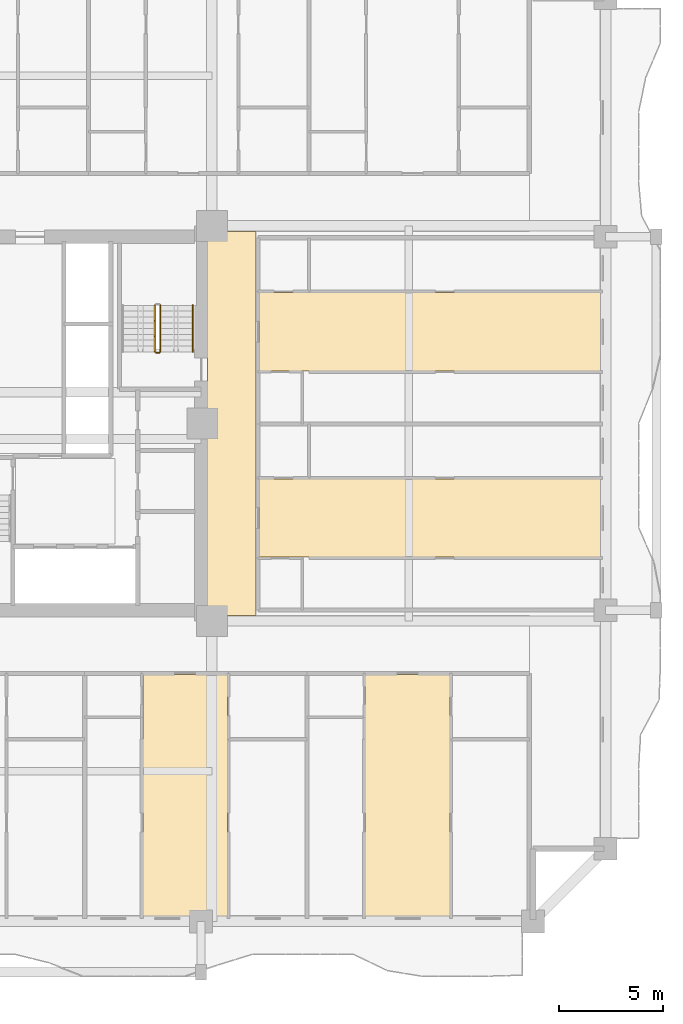
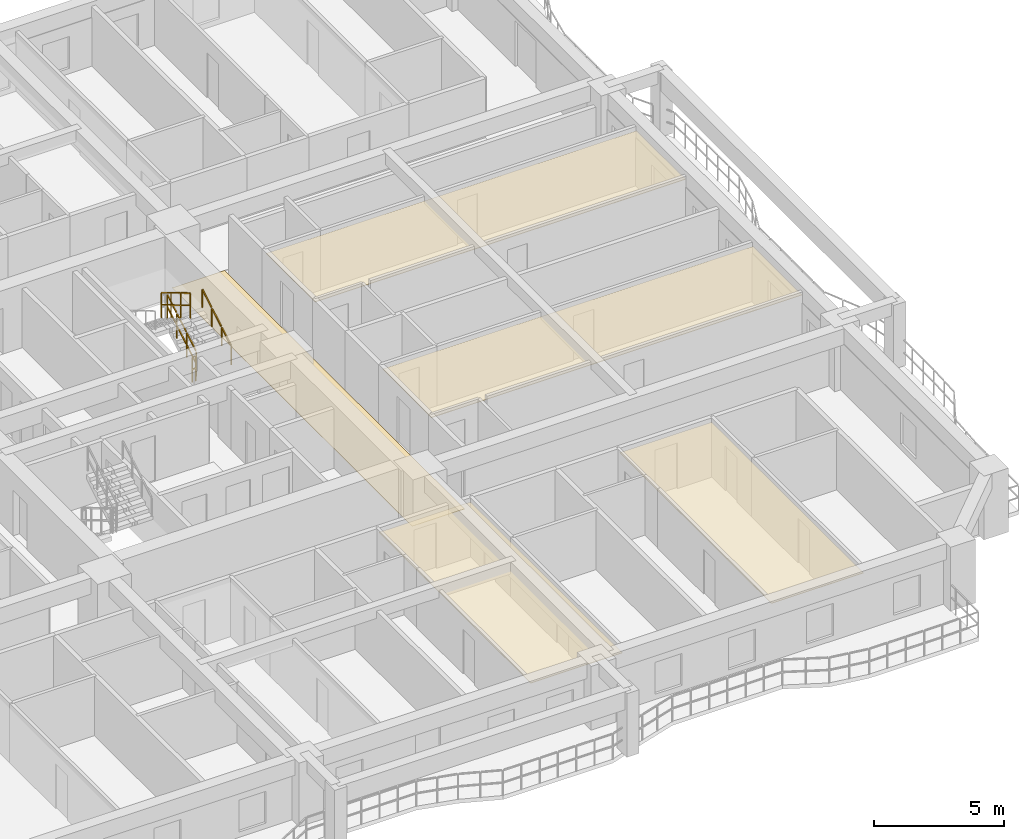
# One storey, part 14 of 16: 5 coverings, 4 railings.
"""IFC4 building model written with IfcOpenShell, lengths in metres."""

from ifc_helpers import new_model, si_unit, direction, frame, origin, origin_2d, place, context, subcontext, project, spatial, polyline, rectangle, outline, extrude, material, layer, layer_set, type_object, element, save


model = new_model("IFC4")

# Units and contexts
model_context = context("Model", 3, precision=1e-05, world=origin(), true_north=direction((0.0, 1.0)))
body_context = subcontext(model_context, "Body", "Model", "MODEL_VIEW")
ifc_project = project(units=[si_unit("LENGTHUNIT", "METRE"), si_unit("AREAUNIT", "SQUARE_METRE"), si_unit("VOLUMEUNIT", "CUBIC_METRE"), si_unit("PLANEANGLEUNIT", "RADIAN"), si_unit("MASSUNIT", "GRAM", prefix="KILO")], contexts=[model_context])

# Site, building, storey
site_placement = place(None, origin())
site = spatial("IfcSite", under=ifc_project, at=site_placement, CompositionType="ELEMENT")
building_placement = place(site_placement, origin())
building = spatial("IfcBuilding", under=site, at=building_placement, Name="Saelheon Loggia Tower", CompositionType="ELEMENT")
storey_placement = place(building_placement, frame((0.0, 0.0, 31.39990234375)))
storey = spatial("IfcBuildingStorey", under=building, at=storey_placement, Name="L09", CompositionType="ELEMENT", Elevation=31.39990234375)

# Coverings
ifc_material_1 = material(Name="Mineral-Fibre Acoustic Ceiling Board", Category="gypsum")
ifc_layer_1 = layer(ifc_material_1, 0.02490234375)
ifc_layer_set_1 = layer_set([ifc_layer_1], Name="Mineral-Fibre Acoustic Ceiling Board")
covering_type_1 = type_object("IfcCoveringType", Name="Cov_Ceiling_Acoustic", PredefinedType="CEILING", material=ifc_layer_set_1)
covering_1_placement = place(storey_placement, frame((0.0, 0.0, 2.53515625)))
element("IfcCovering", 1, at=covering_1_placement, inside=storey, type_object=covering_type_1, Name="L09 Acoustic Suspended Ceiling", PredefinedType="CEILING", context=body_context, shape_type="SweptSolid", body=[
    extrude(outline(polyline([(41.69287109375, 3.199951171875), (45.77001953125, 3.199951171875), (45.77001953125, 14.89990234375), (41.69287109375, 14.89990234375), (41.69287109375, 3.199951171875)])), origin(), (0.0, 0.0, 1.0), 0.02490234375),
])
covering_2_placement = place(storey_placement, frame((0.0, 0.0, 2.53515625)))
element("IfcCovering", 2, at=covering_2_placement, inside=storey, type_object=covering_type_1, Name="L09 Acoustic Suspended Ceiling", PredefinedType="CEILING", context=body_context, shape_type="SweptSolid", body=[
    extrude(outline(polyline([(52.406494140625, 3.199951171875), (56.504150390625, 3.199951171875), (56.504150390625, 14.89990234375), (52.406494140625, 14.89990234375), (52.406494140625, 3.199951171875)])), origin(), (0.0, 0.0, 1.0), 0.02490234375),
])
covering_3_placement = place(storey_placement, frame((0.0, 0.0, 2.53515625)))
element("IfcCovering", 3, at=covering_3_placement, inside=storey, type_object=covering_type_1, Name="L09 Acoustic Suspended Ceiling", PredefinedType="CEILING", context=body_context, shape_type="SweptSolid", body=[
    extrude(outline(polyline([(47.300048828125, 20.56298828125), (63.800048828125, 20.56298828125), (63.800048828125, 24.324951171875), (47.300048828125, 24.324951171875), (47.300048828125, 20.56298828125)])), origin(), (0.0, 0.0, 1.0), 0.02490234375),
])
covering_4_placement = place(storey_placement, frame((0.0, 0.0, 2.53515625)))
element("IfcCovering", 4, at=covering_4_placement, inside=storey, type_object=covering_type_1, Name="L09 Acoustic Suspended Ceiling", PredefinedType="CEILING", context=body_context, shape_type="SweptSolid", body=[
    extrude(outline(polyline([(47.300048828125, 29.5380859375), (63.800048828125, 29.5380859375), (63.800048828125, 33.300048828125), (47.300048828125, 33.300048828125), (47.300048828125, 29.5380859375)])), origin(), (0.0, 0.0, 1.0), 0.02490234375),
])
ifc_material_2 = material(Name="Vitrified Porcelain Floor Tile", Category="ceramic")
ifc_layer_2 = layer(ifc_material_2, 0.02001953125)
ifc_layer_set_2 = layer_set([ifc_layer_2], Name="Vitrified Porcelain Floor Tile")
covering_type_2 = type_object("IfcCoveringType", Name="Cov_Floor_Porcelain", PredefinedType="FLOORING", material=ifc_layer_set_2)
covering_5_placement = place(storey_placement, origin())
element("IfcCovering", 5, at=covering_5_placement, inside=storey, type_object=covering_type_2, Name="L09 Corridor Porcelain Flooring", PredefinedType="FLOORING", context=body_context, shape_type="SweptSolid", body=[
    extrude(outline(polyline([(44.820068359375, 17.75), (47.14990234375, 17.75), (47.14990234375, 36.25), (44.820068359375, 36.25), (44.820068359375, 17.75)])), origin(), (0.0, 0.0, 1.0), 0.02001953125),
])

# Railings
ifc_material_3 = material(Name="Galvanised Steel S275 Stairwell Guardrail", Category="steel")
railing_type_1 = type_object("IfcRailingType", Name="Guard_StairWell_RL_STG", PredefinedType="GUARDRAIL", material=ifc_material_3)
railing_1_placement = place(storey_placement, frame((42.5400390625, 30.449951171875, 0.166748046875)))
element("IfcRailing", 6, at=railing_1_placement, inside=storey, type_object=railing_type_1, Name="L09 ST2 stair guard 1", PredefinedType="GUARDRAIL", context=body_context, shape_type="SweptSolid", body=[
    extrude(rectangle(XDim=0.048095703125, YDim=0.048095703125, at=origin_2d()), frame((0.0, 0.028564453125, 1.19287109375), z_axis=(0.0, 0.859305625298, 0.511462454469), x_axis=(-1.0, 0.0, 0.0)), (0.0, 0.0, 1.0), 0.802490234375),
    extrude(rectangle(XDim=0.048095703125, YDim=0.048095703125, at=origin_2d()), frame((0.0, 0.028564453125, 0.616943359375), z_axis=(0.0, 0.859305625298, 0.511462454469), x_axis=(-1.0, 0.0, 0.0)), (0.0, 0.0, 1.0), 0.802490234375),
    extrude(rectangle(XDim=0.048095703125, YDim=0.048095703125, at=origin_2d()), frame((0.0, 0.775146484375, 1.63720703125), z_axis=(0.0, 0.859305625298, 0.511462454469), x_axis=(-1.0, 0.0, 0.0)), (0.0, 0.0, 1.0), 0.802490234375),
    extrude(rectangle(XDim=0.048095703125, YDim=0.048095703125, at=origin_2d()), frame((0.0, 0.775146484375, 1.061279296875), z_axis=(0.0, 0.859305625298, 0.511462454469), x_axis=(-1.0, 0.0, 0.0)), (0.0, 0.0, 1.0), 0.802490234375),
    extrude(rectangle(XDim=0.048095703125, YDim=0.048095703125, at=origin_2d()), frame((0.0, 1.52197265625, 2.081787109375), z_axis=(0.0, 0.859305625298, 0.511462454469), x_axis=(-1.0, 0.0, 0.0)), (0.0, 0.0, 1.0), 0.802490234375),
    extrude(rectangle(XDim=0.048095703125, YDim=0.048095703125, at=origin_2d()), frame((0.0, 1.52197265625, 1.505859375), z_axis=(0.0, 0.859305625298, 0.511462454469), x_axis=(-1.0, 0.0, 0.0)), (0.0, 0.0, 1.0), 0.802490234375),
    extrude(rectangle(XDim=0.0419921875, YDim=0.0419921875, at=origin_2d()), origin(), (0.0, 0.0, 1.0), 1.14794921875),
    extrude(rectangle(XDim=0.0419921875, YDim=0.0419921875, at=origin_2d()), frame((0.0, 0.74658203125, 0.4443359375)), (0.0, 0.0, 1.0), 1.14794921875),
    extrude(rectangle(XDim=0.0419921875, YDim=0.0419921875, at=origin_2d()), frame((0.0, 1.493408203125, 0.888916015625)), (0.0, 0.0, 1.0), 1.14794921875),
    extrude(rectangle(XDim=0.0419921875, YDim=0.0419921875, at=origin_2d()), frame((0.0, 2.239990234375, 1.333251953125)), (0.0, 0.0, 1.0), 1.14794921875),
])
railing_2_placement = place(storey_placement, frame((42.280029296875, 32.68994140625, 1.666748046875)))
element("IfcRailing", 7, at=railing_2_placement, inside=storey, type_object=railing_type_1, Name="L09 ST2 stair guard 3", PredefinedType="GUARDRAIL", context=body_context, shape_type="SweptSolid", body=[
    extrude(rectangle(XDim=0.048095703125, YDim=0.048095703125, at=origin_2d()), frame((0.0, -0.028564453125, 1.19287109375), z_axis=(0.0, -0.859305625298, 0.511462454469), x_axis=(1.0, 0.0, 0.0)), (0.0, 0.0, 1.0), 0.802490234375),
    extrude(rectangle(XDim=0.048095703125, YDim=0.048095703125, at=origin_2d()), frame((0.0, -0.028564453125, 0.616943359375), z_axis=(0.0, -0.859305625298, 0.511462454469), x_axis=(1.0, 0.0, 0.0)), (0.0, 0.0, 1.0), 0.802490234375),
    extrude(rectangle(XDim=0.048095703125, YDim=0.048095703125, at=origin_2d()), frame((0.0, -0.775146484375, 1.63720703125), z_axis=(0.0, -0.859305625298, 0.511462454469), x_axis=(1.0, 0.0, 0.0)), (0.0, 0.0, 1.0), 0.802490234375),
    extrude(rectangle(XDim=0.048095703125, YDim=0.048095703125, at=origin_2d()), frame((0.0, -0.775146484375, 1.061279296875), z_axis=(0.0, -0.859305625298, 0.511462454469), x_axis=(1.0, 0.0, 0.0)), (0.0, 0.0, 1.0), 0.802490234375),
    extrude(rectangle(XDim=0.048095703125, YDim=0.048095703125, at=origin_2d()), frame((0.0, -1.52197265625, 2.081787109375), z_axis=(0.0, -0.859305625298, 0.511462454469), x_axis=(1.0, 0.0, 0.0)), (0.0, 0.0, 1.0), 0.802490234375),
    extrude(rectangle(XDim=0.048095703125, YDim=0.048095703125, at=origin_2d()), frame((0.0, -1.52197265625, 1.505859375), z_axis=(0.0, -0.859305625298, 0.511462454469), x_axis=(1.0, 0.0, 0.0)), (0.0, 0.0, 1.0), 0.802490234375),
    extrude(rectangle(XDim=0.0419921875, YDim=0.0419921875, at=origin_2d()), origin(), (0.0, 0.0, 1.0), 1.14794921875),
    extrude(rectangle(XDim=0.0419921875, YDim=0.0419921875, at=origin_2d()), frame((0.0, -0.74658203125, 0.4443359375)), (0.0, 0.0, 1.0), 1.14794921875),
    extrude(rectangle(XDim=0.0419921875, YDim=0.0419921875, at=origin_2d()), frame((0.0, -1.493408203125, 0.888916015625)), (0.0, 0.0, 1.0), 1.14794921875),
    extrude(rectangle(XDim=0.0419921875, YDim=0.0419921875, at=origin_2d()), frame((0.0, -2.239990234375, 1.333251953125)), (0.0, 0.0, 1.0), 1.14794921875),
])
railing_3_placement = place(storey_placement, frame((42.489990234375, 30.39990234375, 0.0)))
element("IfcRailing", 8, at=railing_3_placement, inside=storey, type_object=railing_type_1, Name="L09 ST2 stair guard 4", PredefinedType="GUARDRAIL", context=body_context, shape_type="SweptSolid", body=[
    extrude(rectangle(XDim=0.048095703125, YDim=0.048095703125, at=origin_2d()), frame((-0.033203125, 0.0, 1.17578125), z_axis=(-1.0, 0.0, 0.0), x_axis=(0.0, -1.0, 0.0)), (0.0, 0.0, 1.0), 0.093505859375),
    extrude(rectangle(XDim=0.048095703125, YDim=0.048095703125, at=origin_2d()), frame((-0.033203125, 0.0, 0.60009765625), z_axis=(-1.0, 0.0, 0.0), x_axis=(0.0, -1.0, 0.0)), (0.0, 0.0, 1.0), 0.093505859375),
    extrude(rectangle(XDim=0.0419921875, YDim=0.0419921875, at=origin_2d()), origin(), (0.0, 0.0, 1.0), 1.14794921875),
    extrude(rectangle(XDim=0.0419921875, YDim=0.0419921875, at=origin_2d()), frame((-0.159912109375, 0.0, 0.0)), (0.0, 0.0, 1.0), 1.14794921875),
])
ifc_material_4 = material(Name="Stainless Steel 304 Tubular Handrail", Category="steel")
railing_type_2 = type_object("IfcRailingType", Name="Handrail_Stair_RL_HR1", PredefinedType="HANDRAIL", material=ifc_material_4)
railing_4_placement = place(storey_placement, frame((44.10009765625, 30.449951171875, 0.166748046875)))
element("IfcRailing", 9, at=railing_4_placement, inside=storey, type_object=railing_type_2, Name="L09 ST2 stair handrail 1", PredefinedType="HANDRAIL", context=body_context, shape_type="SweptSolid", body=[
    extrude(rectangle(XDim=0.048095703125, YDim=0.048095703125, at=origin_2d()), frame((0.0, 0.028564453125, 0.892822265625), z_axis=(0.0, 0.859305625298, 0.511462454469), x_axis=(-1.0, 0.0, 0.0)), (0.0, 0.0, 1.0), 0.802490234375),
    extrude(rectangle(XDim=0.048095703125, YDim=0.048095703125, at=origin_2d()), frame((0.0, 0.775146484375, 1.337158203125), z_axis=(0.0, 0.859305625298, 0.511462454469), x_axis=(-1.0, 0.0, 0.0)), (0.0, 0.0, 1.0), 0.802490234375),
    extrude(rectangle(XDim=0.048095703125, YDim=0.048095703125, at=origin_2d()), frame((0.0, 1.52197265625, 1.78173828125), z_axis=(0.0, 0.859305625298, 0.511462454469), x_axis=(-1.0, 0.0, 0.0)), (0.0, 0.0, 1.0), 0.802490234375),
    extrude(rectangle(XDim=0.0419921875, YDim=0.0419921875, at=origin_2d()), origin(), (0.0, 0.0, 1.0), 0.847900390625),
    extrude(rectangle(XDim=0.0419921875, YDim=0.0419921875, at=origin_2d()), frame((0.0, 0.74658203125, 0.4443359375)), (0.0, 0.0, 1.0), 0.847900390625),
    extrude(rectangle(XDim=0.0419921875, YDim=0.0419921875, at=origin_2d()), frame((0.0, 1.493408203125, 0.888916015625)), (0.0, 0.0, 1.0), 0.847900390625),
    extrude(rectangle(XDim=0.0419921875, YDim=0.0419921875, at=origin_2d()), frame((0.0, 2.239990234375, 1.333251953125)), (0.0, 0.0, 1.0), 0.847900390625),
])

save(model, "model.ifc")
